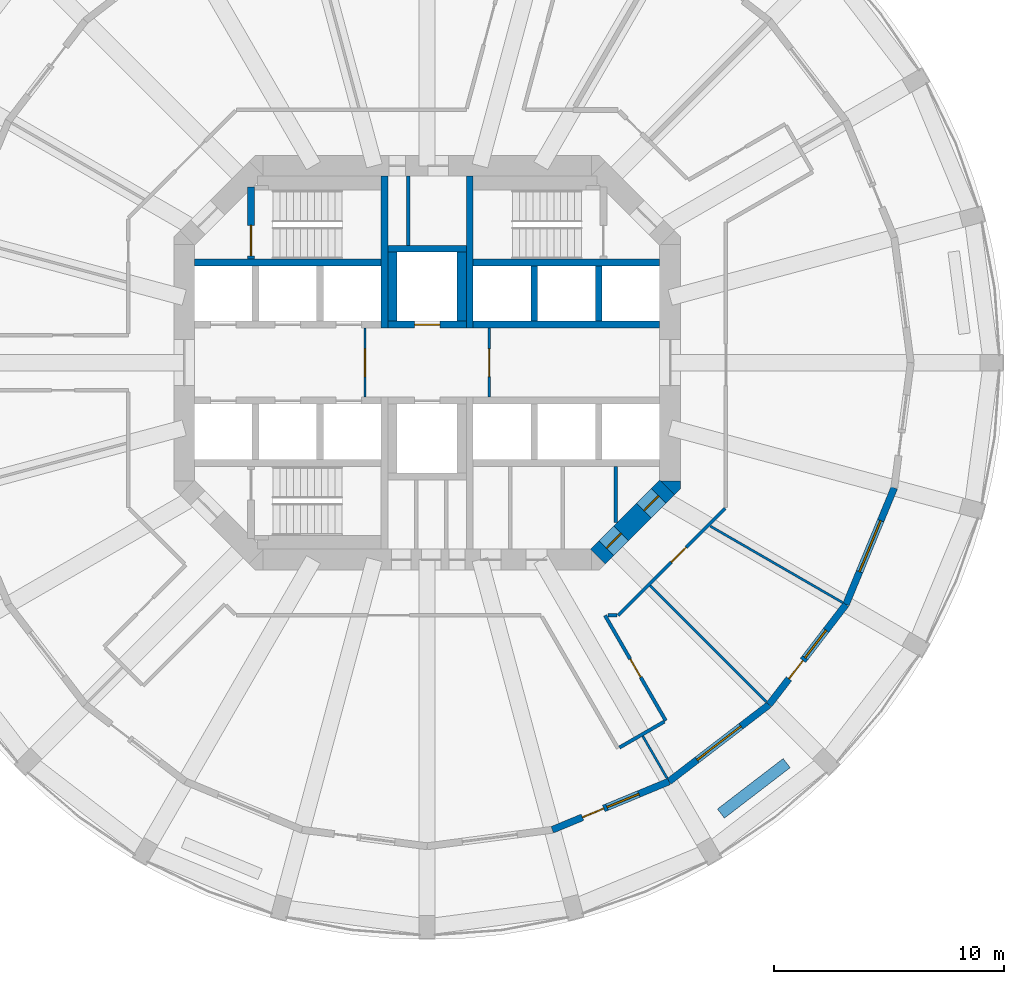
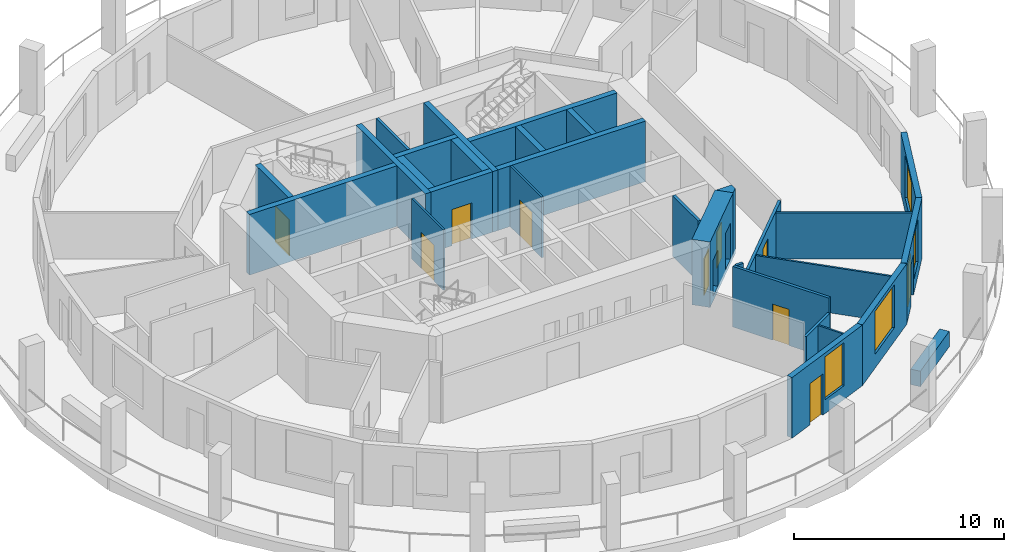
# One storey, part 4 of 8: 30 walls, 10 doors, 4 windows, 14 openings.
"""IFC4 building model written with IfcOpenShell, lengths in metres."""

from ifc_helpers import new_model, si_unit, direction, frame, frame_2d, origin, place, context, subcontext, project, spatial, polyline, rectangle, outline, extrude, material, layer, layer_set, type_object, element, fill, save


model = new_model("IFC4")

# Units and contexts
model_context = context("Model", 3, precision=1e-05, world=origin(), true_north=direction((0.0, 1.0)))
body_context = subcontext(model_context, "Body", "Model", "MODEL_VIEW")
ifc_project = project(units=[si_unit("LENGTHUNIT", "METRE"), si_unit("AREAUNIT", "SQUARE_METRE"), si_unit("VOLUMEUNIT", "CUBIC_METRE"), si_unit("PLANEANGLEUNIT", "RADIAN"), si_unit("MASSUNIT", "GRAM", prefix="KILO")], contexts=[model_context])

# Site, building, storey
site_placement = place(None, origin())
site = spatial("IfcSite", under=ifc_project, at=site_placement, CompositionType="ELEMENT")
building_placement = place(site_placement, origin())
building = spatial("IfcBuilding", under=site, at=building_placement, Name="Torre Triforio", CompositionType="ELEMENT")
storey_placement = place(building_placement, frame((0.0, 0.0, 139.0)))
storey = spatial("IfcBuildingStorey", under=building, at=storey_placement, Name="L31", CompositionType="ELEMENT", Elevation=139.0)

# Walls
ifc_material_1 = material(Name="Concrete C60", Category="concrete")
ifc_layer_1 = layer(ifc_material_1, 0.300048828125)
ifc_layer_set_1 = layer_set([ifc_layer_1], Name="Concrete C60")
wall_type_1 = type_object("IfcWallType", Name="Core wall 300 mm C60 EI 120", PredefinedType="SHEAR", material=ifc_layer_set_1)
for number, where, z_axis, x_axis, name in (
    (1, (-1.85009765625, 1.5, 0.0), (0.0, 0.0, 1.0), (0.0, 1.0, 0.0), "Core wall"),
    (2, (1.85009765625, 1.5, 0.0), (0.0, 0.0, 1.0), (0.0, 1.0, 0.0), "Core wall"),
):
    element("IfcWall", number, at=place(storey_placement, frame(where, z_axis=z_axis, x_axis=x_axis)), inside=storey, type_object=wall_type_1, Name=name, PredefinedType="SHEAR", context=body_context, shape_type="SweptSolid", body=[
        extrude(rectangle(XDim=6.60009765625, YDim=0.300048828125, at=frame_2d((3.300048828125, 0.0))), origin(), (0.0, 0.0, 1.0), 3.52001953125),
    ])

# Wall, openings, doors
ifc_layer_2 = layer(ifc_material_1, 0.89990234375)
ifc_layer_set_2 = layer_set([ifc_layer_2], Name="Concrete C60")
wall_type_2 = type_object("IfcWallType", Name="Core wall 900 mm C60 EI 120", PredefinedType="SHEAR", material=ifc_layer_set_2)
wall_1_placement = place(storey_placement, frame((10.418212890625, -5.418212890625, -0.280029296875), z_axis=(0.0, 0.0, 1.0), x_axis=(-0.707106781187, -0.707106781187, 0.0)))
wall_1 = element("IfcWall", 3, at=wall_1_placement, inside=storey, type_object=wall_type_2, Name="Core wall", PredefinedType="SHEAR", context=body_context, shape_type="SweptSolid", body=[
    extrude(rectangle(XDim=4.24267578125, YDim=0.89990234375, at=frame_2d((2.121337890625, 0.0))), origin(), (0.0, 0.0, 1.0), 3.800048828125),
])
opening_1_placement = place(wall_1_placement, frame((2.82275390625, 0.0, 0.280029296875)))
opening_1 = element("IfcOpeningElement", 4, at=opening_1_placement, cuts=wall_1, Name="Opening SE-03", PredefinedType="OPENING", context=body_context, shape_type="SweptSolid", body=[
    extrude(rectangle(XDim=0.89990234375, YDim=2.10009765625, at=frame_2d((0.449951171875, 1.050048828125))), frame((0.0, 0.4599609375, 0.0), z_axis=(0.0, -1.0, 0.0), x_axis=(1.0, 0.0, 0.0)), (0.0, 0.0, 1.0), 0.919921875),
])
opening_2_placement = place(wall_1_placement, frame((0.52001953125, 0.0, 0.280029296875)))
opening_2 = element("IfcOpeningElement", 5, at=opening_2_placement, cuts=wall_1, Name="Opening SE-04", PredefinedType="OPENING", context=body_context, shape_type="SweptSolid", body=[
    extrude(rectangle(XDim=0.89990234375, YDim=2.10009765625, at=frame_2d((0.449951171875, 1.050048828125))), frame((0.0, 0.4599609375, 0.0), z_axis=(0.0, -1.0, 0.0), x_axis=(1.0, 0.0, 0.0)), (0.0, 0.0, 1.0), 0.919921875),
])
ifc_material_2 = material(Name="Hollow metal fire door leaf")
door_type_1 = type_object("IfcDoorType", Name="Room door 900 x 2100 EI 60", OperationType="NOTDEFINED", PredefinedType="DOOR", material=ifc_material_2)
door_1_placement = place(opening_1_placement, origin())
door_1 = element("IfcDoor", 6, at=door_1_placement, inside=storey, type_object=door_type_1, Name="Core door SE-03", OperationType="SINGLE_SWING_RIGHT", OverallHeight=2.10009765625, OverallWidth=0.89990234375, PredefinedType="DOOR", context=body_context, shape_type="SweptSolid", body=[
    extrude(rectangle(XDim=0.89990234375, YDim=2.10009765625, at=frame_2d((0.449951171875, 1.050048828125))), frame((0.0, 0.02490234375, 0.0), z_axis=(0.0, -1.0, 0.0), x_axis=(1.0, 0.0, 0.0)), (0.0, 0.0, 1.0), 0.050048828125),
])
fill(opening_1, door_1)
door_2_placement = place(opening_2_placement, origin())
door_2 = element("IfcDoor", 7, at=door_2_placement, inside=storey, type_object=door_type_1, Name="Core door SE-04", OperationType="SINGLE_SWING_LEFT", OverallHeight=2.10009765625, OverallWidth=0.89990234375, PredefinedType="DOOR", context=body_context, shape_type="SweptSolid", body=[
    extrude(rectangle(XDim=0.89990234375, YDim=2.10009765625, at=frame_2d((0.449951171875, 1.050048828125))), frame((0.0, 0.02490234375, 0.0), z_axis=(0.0, -1.0, 0.0), x_axis=(1.0, 0.0, 0.0)), (0.0, 0.0, 1.0), 0.050048828125),
])
fill(opening_2, door_2)

# Wall
wall_2_placement = place(storey_placement, frame((0.0, 0.0, -0.280029296875)))
element("IfcWall", 8, at=wall_2_placement, inside=storey, type_object=wall_type_2, Name="Core wall", PredefinedType="SHEAR", context=body_context, shape_type="SweptSolid", body=[
    extrude(outline(polyline([(11.0, -5.472900390625), (10.736328125, -5.736328125), (10.1298828125, -5.1298828125), (11.0, -5.1298828125), (11.0, -5.472900390625)])), origin(), (0.0, 0.0, 1.0), 3.800048828125),
])

# Wall, opening, door
ifc_material_3 = material(Name="Plasterboard on metal studs")
ifc_layer_3 = layer(ifc_material_3, 0.14990234375)
ifc_layer_set_3 = layer_set([ifc_layer_3], Name="Plasterboard on metal studs")
wall_type_3 = type_object("IfcWallType", Name="Corridor and tenancy wall 150 mm EI 60", PredefinedType="PARTITIONING", material=ifc_layer_set_3)
wall_3_placement = place(storey_placement, frame((12.93798828125, -6.327880859375, 0.0), z_axis=(0.0, 0.0, 1.0), x_axis=(-0.707088206597, -0.707125355289, 0.0)))
wall_3 = element("IfcWall", 9, at=wall_3_placement, inside=storey, type_object=wall_type_3, Name="Partition 21", PredefinedType="PARTITIONING", context=body_context, shape_type="SweptSolid", body=[
    extrude(rectangle(XDim=6.572021484375, YDim=0.14990234375, at=frame_2d((3.2861328125, 0.0))), origin(), (0.0, 0.0, 1.0), 2.669921875),
])
opening_3_placement = place(wall_3_placement, frame((2.39794921875, 0.0, 0.0)))
opening_3 = element("IfcOpeningElement", 10, at=opening_3_placement, cuts=wall_3, Name="Opening D3-08", PredefinedType="OPENING", context=body_context, shape_type="SweptSolid", body=[
    extrude(rectangle(XDim=0.89990234375, YDim=2.10009765625, at=frame_2d((0.449951171875, 1.050048828125))), frame((0.0, 0.0849609375, 0.0), z_axis=(0.0, -1.0, 0.0), x_axis=(1.0, 0.0, 0.0)), (0.0, 0.0, 1.0), 0.169921875),
])
ifc_material_4 = material(Name="Timber", Category="wood")
door_type_2 = type_object("IfcDoorType", Name="Door 900 x 2100 single leaf EI 30", OperationType="NOTDEFINED", PredefinedType="DOOR", material=ifc_material_4)
door_3_placement = place(opening_3_placement, origin())
door_3 = element("IfcDoor", 11, at=door_3_placement, inside=storey, type_object=door_type_2, Name="Door D3-08", OperationType="SINGLE_SWING_LEFT", OverallHeight=2.10009765625, OverallWidth=0.89990234375, PredefinedType="DOOR", context=body_context, shape_type="SweptSolid", body=[
    extrude(rectangle(XDim=0.89990234375, YDim=2.10009765625, at=frame_2d((0.449951171875, 1.050048828125))), frame((0.0, 0.02490234375, 0.0), z_axis=(0.0, -1.0, 0.0), x_axis=(1.0, 0.0, 0.0)), (0.0, 0.0, 1.0), 0.050048828125),
])
fill(opening_3, door_3)

# Wall
wall_4_placement = place(storey_placement, frame((8.23828125, -10.97509765625, 0.0), z_axis=(0.0, 0.0, 1.0), x_axis=(-1.0, 0.0, 0.0)))
element("IfcWall", 12, at=wall_4_placement, inside=storey, type_object=wall_type_3, Name="Partition 22", PredefinedType="PARTITIONING", context=body_context, shape_type="SweptSolid", body=[
    extrude(rectangle(XDim=0.38623046875, YDim=0.14990234375, at=frame_2d((0.193115234375, 0.0))), origin(), (0.0, 0.0, 1.0), 3.52001953125),
])

# Wall, opening, door
wall_5_placement = place(storey_placement, frame((7.72216796875, -10.97509765625, 0.0), z_axis=(0.0, 0.0, 1.0), x_axis=(0.499981143329, -0.866036290415, 0.0)))
wall_5 = element("IfcWall", 13, at=wall_5_placement, inside=storey, type_object=wall_type_3, Name="Partition 23", PredefinedType="PARTITIONING", context=body_context, shape_type="SweptSolid", body=[
    extrude(rectangle(XDim=5.282958984375, YDim=0.14990234375, at=frame_2d((2.6416015625, 0.0))), origin(), (0.0, 0.0, 1.0), 3.52001953125),
])
opening_4_placement = place(wall_5_placement, frame((2.19140625, 0.0, 0.0)))
opening_4 = element("IfcOpeningElement", 14, at=opening_4_placement, cuts=wall_5, Name="Opening D3-07", PredefinedType="OPENING", context=body_context, shape_type="SweptSolid", body=[
    extrude(rectangle(XDim=0.89990234375, YDim=2.10009765625, at=frame_2d((0.449951171875, 1.050048828125))), frame((0.0, 0.0849609375, 0.0), z_axis=(0.0, -1.0, 0.0), x_axis=(1.0, 0.0, 0.0)), (0.0, 0.0, 1.0), 0.169921875),
])
door_4_placement = place(opening_4_placement, origin())
door_4 = element("IfcDoor", 15, at=door_4_placement, inside=storey, type_object=door_type_2, Name="Door D3-07", OperationType="SINGLE_SWING_LEFT", OverallHeight=2.10009765625, OverallWidth=0.89990234375, PredefinedType="DOOR", context=body_context, shape_type="SweptSolid", body=[
    extrude(rectangle(XDim=0.89990234375, YDim=2.10009765625, at=frame_2d((0.449951171875, 1.050048828125))), frame((0.0, 0.02490234375, 0.0), z_axis=(0.0, -1.0, 0.0), x_axis=(1.0, 0.0, 0.0)), (0.0, 0.0, 1.0), 0.050048828125),
])
fill(opening_4, door_4)

# Wall
wall_6_placement = place(storey_placement, frame((10.298583984375, -15.587890625, 0.0), z_axis=(0.0, 0.0, 1.0), x_axis=(-0.866017533419, -0.500013631625, 0.0)))
element("IfcWall", 16, at=wall_6_placement, inside=storey, type_object=wall_type_3, Name="Partition 24", PredefinedType="PARTITIONING", context=body_context, shape_type="SweptSolid", body=[
    extrude(rectangle(XDim=2.25, YDim=0.14990234375, at=frame_2d((1.125, 0.0))), origin(), (0.0, 0.0, 1.0), 2.669921875),
])

# Wall, opening, door
ifc_material_5 = material(Name="Block and board partition")
ifc_layer_4 = layer(ifc_material_5, 0.10009765625)
ifc_layer_set_4 = layer_set([ifc_layer_4], Name="Block and board partition")
wall_type_4 = type_object("IfcWallType", Name="Partition 100 mm EI 120", PredefinedType="PARTITIONING", material=ifc_layer_set_4)
wall_7_placement = place(storey_placement, frame((-2.699951171875, -1.5, 0.0), z_axis=(0.0, 0.0, 1.0), x_axis=(0.0, 1.0, 0.0)))
wall_7 = element("IfcWall", 17, at=wall_7_placement, inside=storey, type_object=wall_type_4, Name="Partition", PredefinedType="PARTITIONING", context=body_context, shape_type="SweptSolid", body=[
    extrude(rectangle(XDim=3.0, YDim=0.10009765625, at=frame_2d((1.5, 0.0))), origin(), (0.0, 0.0, 1.0), 3.52001953125),
])
opening_5_placement = place(wall_7_placement, frame((0.89990234375, 0.0, 0.0)))
opening_5 = element("IfcOpeningElement", 18, at=opening_5_placement, cuts=wall_7, Name="Opening FF-W", PredefinedType="OPENING", context=body_context, shape_type="SweptSolid", body=[
    extrude(rectangle(XDim=1.199951171875, YDim=2.10009765625, at=frame_2d((0.60009765625, 1.050048828125))), frame((0.0, 0.06005859375, 0.0), z_axis=(0.0, -1.0, 0.0), x_axis=(1.0, 0.0, 0.0)), (0.0, 0.0, 1.0), 0.1201171875),
])
door_type_3 = type_object("IfcDoorType", Name="Fire-fighting lobby door 1200 x 2100 EI 60", OperationType="NOTDEFINED", PredefinedType="DOOR", material=ifc_material_2)
door_5_placement = place(opening_5_placement, origin())
door_5 = element("IfcDoor", 19, at=door_5_placement, inside=storey, type_object=door_type_3, Name="Core door FF-W", OperationType="SINGLE_SWING_RIGHT", OverallHeight=2.10009765625, OverallWidth=1.199951171875, PredefinedType="DOOR", context=body_context, shape_type="SweptSolid", body=[
    extrude(rectangle(XDim=1.199951171875, YDim=2.10009765625, at=frame_2d((0.60009765625, 1.050048828125))), frame((0.0, 0.02490234375, 0.0), z_axis=(0.0, -1.0, 0.0), x_axis=(1.0, 0.0, 0.0)), (0.0, 0.0, 1.0), 0.050048828125),
])
fill(opening_5, door_5)

wall_8_placement = place(storey_placement, frame((2.699951171875, -1.5, 0.0), z_axis=(0.0, 0.0, 1.0), x_axis=(0.0, 1.0, 0.0)))
wall_8 = element("IfcWall", 20, at=wall_8_placement, inside=storey, type_object=wall_type_4, Name="Partition", PredefinedType="PARTITIONING", context=body_context, shape_type="SweptSolid", body=[
    extrude(rectangle(XDim=3.0, YDim=0.10009765625, at=frame_2d((1.5, 0.0))), origin(), (0.0, 0.0, 1.0), 3.52001953125),
])
opening_6_placement = place(wall_8_placement, frame((0.89990234375, 0.0, 0.0)))
opening_6 = element("IfcOpeningElement", 21, at=opening_6_placement, cuts=wall_8, Name="Opening FF-E", PredefinedType="OPENING", context=body_context, shape_type="SweptSolid", body=[
    extrude(rectangle(XDim=1.199951171875, YDim=2.10009765625, at=frame_2d((0.60009765625, 1.050048828125))), frame((0.0, 0.06005859375, 0.0), z_axis=(0.0, -1.0, 0.0), x_axis=(1.0, 0.0, 0.0)), (0.0, 0.0, 1.0), 0.1201171875),
])
door_6_placement = place(opening_6_placement, origin())
door_6 = element("IfcDoor", 22, at=door_6_placement, inside=storey, type_object=door_type_3, Name="Core door FF-E", OperationType="SINGLE_SWING_RIGHT", OverallHeight=2.10009765625, OverallWidth=1.199951171875, PredefinedType="DOOR", context=body_context, shape_type="SweptSolid", body=[
    extrude(rectangle(XDim=1.199951171875, YDim=2.10009765625, at=frame_2d((0.60009765625, 1.050048828125))), frame((0.0, 0.02490234375, 0.0), z_axis=(0.0, -1.0, 0.0), x_axis=(1.0, 0.0, 0.0)), (0.0, 0.0, 1.0), 0.050048828125),
])
fill(opening_6, door_6)

# Walls
ifc_layer_5 = layer(ifc_material_3, 0.10009765625)
ifc_layer_set_5 = layer_set([ifc_layer_5], Name="Plasterboard on metal studs")
wall_type_5 = type_object("IfcWallType", Name="Partition 100 mm board on metal studs", PredefinedType="PARTITIONING", material=ifc_layer_set_5)
wall_9_placement = place(storey_placement, frame((9.36181640625, -16.215087890625, 0.0), z_axis=(0.0, 0.0, 1.0), x_axis=(0.500015802937, -0.866016279763, 0.0)))
element("IfcWall", 23, at=wall_9_placement, inside=storey, type_object=wall_type_5, Name="Partition 40", PredefinedType="PARTITIONING", context=body_context, shape_type="SweptSolid", body=[
    extrude(rectangle(XDim=2.11328125, YDim=0.10009765625, at=frame_2d((1.056640625, 0.0))), origin(), (0.0, 0.0, 1.0), 2.669921875),
])
wall_10_placement = place(storey_placement, frame((9.68603515625, -9.68603515625, 0.0), z_axis=(0.0, 0.0, 1.0), x_axis=(0.707106781187, -0.707106781187, 0.0)))
element("IfcWall", 24, at=wall_10_placement, inside=storey, type_object=wall_type_5, Name="Partition 41", PredefinedType="PARTITIONING", context=body_context, shape_type="SweptSolid", body=[
    extrude(rectangle(XDim=7.138671875, YDim=0.10009765625, at=frame_2d((3.5693359375, 0.0))), origin(), (0.0, 0.0, 1.0), 2.669921875),
])
wall_11_placement = place(storey_placement, frame((12.294189453125, -7.097900390625, 0.0), z_axis=(0.0, 0.0, 1.0), x_axis=(0.866010486135, -0.500025837236, 0.0)))
element("IfcWall", 25, at=wall_11_placement, inside=storey, type_object=wall_type_5, Name="Partition 42", PredefinedType="PARTITIONING", context=body_context, shape_type="SweptSolid", body=[
    extrude(rectangle(XDim=6.640869140625, YDim=0.10009765625, at=frame_2d((3.3203125, 0.0))), origin(), (0.0, 0.0, 1.0), 2.669921875),
])
ifc_layer_6 = layer(ifc_material_5, 0.14990234375)
ifc_layer_set_6 = layer_set([ifc_layer_6], Name="Block and board partition")
wall_type_6 = type_object("IfcWallType", Name="Partition 150 mm", PredefinedType="PARTITIONING", material=ifc_layer_set_6)
wall_12_placement = place(storey_placement, frame((8.18896484375, -6.93603515625, 0.0), z_axis=(0.0, 0.0, 1.0), x_axis=(0.0, 1.0, 0.0)))
element("IfcWall", 26, at=wall_12_placement, inside=storey, type_object=wall_type_6, Name="Partition", PredefinedType="PARTITIONING", context=body_context, shape_type="SweptSolid", body=[
    extrude(rectangle(XDim=2.43603515625, YDim=0.14990234375, at=frame_2d((1.218017578125, 0.0))), origin(), (0.0, 0.0, 1.0), 3.52001953125),
])
ifc_layer_7 = layer(ifc_material_5, 0.14990234375)
ifc_layer_set_7 = layer_set([ifc_layer_7], Name="Block and board partition")
wall_type_7 = type_object("IfcWallType", Name="Partition 150 mm EI 120", PredefinedType="PARTITIONING", material=ifc_layer_set_7)
wall_13_placement = place(storey_placement, frame((-0.824951171875, 5.10009765625, 0.0), z_axis=(0.0, 0.0, 1.0), x_axis=(0.0, 1.0, 0.0)))
element("IfcWall", 27, at=wall_13_placement, inside=storey, type_object=wall_type_7, Name="Partition", PredefinedType="PARTITIONING", context=body_context, shape_type="SweptSolid", body=[
    extrude(rectangle(XDim=3.0, YDim=0.14990234375, at=frame_2d((1.5, 0.0))), origin(), (0.0, 0.0, 1.0), 3.52001953125),
])
ifc_material_6 = material(Name="Limestone cladding", Category="masonry")
ifc_layer_8 = layer(ifc_material_6, 0.10009765625)
ifc_material_7 = material(Name="Concrete C40", Category="concrete")
ifc_layer_9 = layer(ifc_material_7, 0.39990234375)
ifc_layer_set_8 = layer_set([ifc_layer_8, ifc_layer_9], Name="Limestone cladding / Concrete C40")
wall_type_8 = type_object("IfcWallType", Name="Planter wall 500", PredefinedType="PARAPET", material=ifc_layer_set_8)
wall_14_placement = place(storey_placement, frame((12.756103515625, -19.580810546875, 0.0), z_axis=(0.0, 0.0, 1.0), x_axis=(0.793384730612, 0.608720518162, 0.0)))
element("IfcWall", 28, at=wall_14_placement, inside=storey, type_object=wall_type_8, Name="Planter L31 bay 21", PredefinedType="PARAPET", context=body_context, shape_type="SweptSolid", body=[
    extrude(rectangle(XDim=3.60009765625, YDim=0.5, at=frame_2d((1.800048828125, 0.0))), origin(), (0.0, 0.0, 1.0), 0.89990234375),
])
ifc_layer_10 = layer(ifc_material_1, 0.300048828125)
ifc_layer_set_9 = layer_set([ifc_layer_10], Name="Concrete C60")
wall_type_9 = type_object("IfcWallType", Name="Shaft wall 300 mm C60 EI 120", PredefinedType="SOLIDWALL", material=ifc_layer_set_9)
for number, where, z_axis, x_axis, name in (
    (29, (-10.10009765625, 4.35009765625, 0.0), (0.0, 0.0, 1.0), (1.0, 0.0, 0.0), "Shaft wall"),
    (30, (2.0, 4.35009765625, 0.0), (0.0, 0.0, 1.0), (1.0, 0.0, 0.0), "Shaft wall"),
    (31, (2.0, 1.64990234375, 0.0), (0.0, 0.0, 1.0), (1.0, 0.0, 0.0), "Shaft wall"),
):
    element("IfcWall", number, at=place(storey_placement, frame(where, z_axis=z_axis, x_axis=x_axis)), inside=storey, type_object=wall_type_9, Name=name, PredefinedType="SOLIDWALL", context=body_context, shape_type="SweptSolid", body=[
        extrude(rectangle(XDim=8.10009765625, YDim=0.300048828125, at=frame_2d((4.050048828125, 0.0))), origin(), (0.0, 0.0, 1.0), 3.52001953125),
    ])
for number, where, z_axis, x_axis, name in (
    (32, (4.64990234375, 1.800048828125, 0.0), (0.0, 0.0, 1.0), (0.0, 1.0, 0.0), "Shaft wall"),
    (33, (7.449951171875, 1.800048828125, 0.0), (0.0, 0.0, 1.0), (0.0, 1.0, 0.0), "Shaft wall"),
):
    element("IfcWall", number, at=place(storey_placement, frame(where, z_axis=z_axis, x_axis=x_axis)), inside=storey, type_object=wall_type_9, Name=name, PredefinedType="SOLIDWALL", context=body_context, shape_type="SweptSolid", body=[
        extrude(rectangle(XDim=2.39990234375, YDim=0.300048828125, at=frame_2d((1.199951171875, 0.0))), origin(), (0.0, 0.0, 1.0), 3.52001953125),
    ])

# Wall, opening, door
wall_15_placement = place(storey_placement, frame((-1.699951171875, 1.64990234375, 0.0), z_axis=(0.0, 0.0, 1.0), x_axis=(1.0, 0.0, 0.0)))
wall_15 = element("IfcWall", 34, at=wall_15_placement, inside=storey, type_object=wall_type_9, Name="Shaft wall", PredefinedType="SOLIDWALL", context=body_context, shape_type="SweptSolid", body=[
    extrude(rectangle(XDim=3.39990234375, YDim=0.300048828125, at=frame_2d((1.699951171875, 0.0))), origin(), (0.0, 0.0, 1.0), 3.52001953125),
])
opening_7_placement = place(wall_15_placement, frame((1.14990234375, 0.0, 0.0)))
opening_7 = element("IfcOpeningElement", 35, at=opening_7_placement, cuts=wall_15, Name="Opening LD", PredefinedType="OPENING", context=body_context, shape_type="SweptSolid", body=[
    extrude(rectangle(XDim=1.10009765625, YDim=2.10009765625, at=frame_2d((0.550048828125, 1.050048828125))), frame((0.0, 0.159912109375, 0.0), z_axis=(0.0, -1.0, 0.0), x_axis=(1.0, 0.0, 0.0)), (0.0, 0.0, 1.0), 0.320068359375),
])
door_type_4 = type_object("IfcDoorType", Name="Landing door 1100 x 2100 EI 60", OperationType="DOUBLE_DOOR_SLIDING", PredefinedType="DOOR", material=ifc_material_2)
door_7_placement = place(opening_7_placement, origin())
door_7 = element("IfcDoor", 36, at=door_7_placement, inside=storey, type_object=door_type_4, Name="Landing door FFL1", OperationType="DOUBLE_DOOR_SLIDING", OverallHeight=2.10009765625, OverallWidth=1.10009765625, PredefinedType="DOOR", context=body_context, shape_type="SweptSolid", body=[
    extrude(rectangle(XDim=1.10009765625, YDim=2.10009765625, at=frame_2d((0.550048828125, 1.050048828125))), frame((0.0, 0.02490234375, 0.0), z_axis=(0.0, -1.0, 0.0), x_axis=(1.0, 0.0, 0.0)), (0.0, 0.0, 1.0), 0.050048828125),
])
fill(opening_7, door_7)

# Walls
wall_16_placement = place(storey_placement, frame((-1.699951171875, 4.949951171875, 0.0), z_axis=(0.0, 0.0, 1.0), x_axis=(1.0, 0.0, 0.0)))
element("IfcWall", 37, at=wall_16_placement, inside=storey, type_object=wall_type_9, Name="Shaft wall", PredefinedType="SOLIDWALL", context=body_context, shape_type="SweptSolid", body=[
    extrude(rectangle(XDim=3.39990234375, YDim=0.300048828125, at=frame_2d((1.699951171875, 0.0))), origin(), (0.0, 0.0, 1.0), 3.52001953125),
])
ifc_layer_11 = layer(ifc_material_1, 0.39990234375)
ifc_layer_set_10 = layer_set([ifc_layer_11], Name="Concrete C60")
wall_type_10 = type_object("IfcWallType", Name="Shaft wall 400 mm C60 EI 120", PredefinedType="SOLIDWALL", material=ifc_layer_set_10)
for number, where, z_axis, x_axis, name in (
    (38, (-1.5, 1.800048828125, 0.0), (0.0, 0.0, 1.0), (0.0, 1.0, 0.0), "Shaft wall"),
    (39, (1.5, 1.800048828125, 0.0), (0.0, 0.0, 1.0), (0.0, 1.0, 0.0), "Shaft wall"),
):
    element("IfcWall", number, at=place(storey_placement, frame(where, z_axis=z_axis, x_axis=x_axis)), inside=storey, type_object=wall_type_10, Name=name, PredefinedType="SOLIDWALL", context=body_context, shape_type="SweptSolid", body=[
        extrude(rectangle(XDim=3.0, YDim=0.39990234375, at=frame_2d((1.5, 0.0))), origin(), (0.0, 0.0, 1.0), 3.52001953125),
    ])

# Wall, opening, door
ifc_layer_12 = layer(ifc_material_1, 0.300048828125)
ifc_layer_set_11 = layer_set([ifc_layer_12], Name="Concrete C60")
wall_type_11 = type_object("IfcWallType", Name="Stair wall 300 mm C60 EI 120", PredefinedType="SHEAR", material=ifc_layer_set_11)
wall_17_placement = place(storey_placement, frame((-7.64990234375, 4.5, 0.0), z_axis=(0.0, 0.0, 1.0), x_axis=(0.0, 1.0, 0.0)))
wall_17 = element("IfcWall", 40, at=wall_17_placement, inside=storey, type_object=wall_type_11, Name="Stair wall", PredefinedType="SHEAR", context=body_context, shape_type="SweptSolid", body=[
    extrude(rectangle(XDim=3.139892578125, YDim=0.300048828125, at=frame_2d((1.56982421875, 0.0))), origin(), (0.0, 0.0, 1.0), 3.52001953125),
])
opening_8_placement = place(wall_17_placement, frame((0.139892578125, 0.0, 0.0)))
opening_8 = element("IfcOpeningElement", 41, at=opening_8_placement, cuts=wall_17, Name="Opening ST1-STA", PredefinedType="OPENING", context=body_context, shape_type="SweptSolid", body=[
    extrude(rectangle(XDim=1.320068359375, YDim=2.10009765625, at=frame_2d((0.66015625, 1.050048828125))), frame((0.0, 0.159912109375, 0.0), z_axis=(0.0, -1.0, 0.0), x_axis=(1.0, 0.0, 0.0)), (0.0, 0.0, 1.0), 0.320068359375),
])
door_type_5 = type_object("IfcDoorType", Name="Stair door 1320 x 2100 EI 90", OperationType="DOUBLE_DOOR_SINGLE_SWING", PredefinedType="DOOR", material=ifc_material_2)
door_8_placement = place(opening_8_placement, origin())
door_8 = element("IfcDoor", 42, at=door_8_placement, inside=storey, type_object=door_type_5, Name="Core door ST1-ST", OperationType="DOUBLE_DOOR_SINGLE_SWING", OverallHeight=2.10009765625, OverallWidth=1.320068359375, PredefinedType="DOOR", context=body_context, shape_type="SweptSolid", body=[
    extrude(rectangle(XDim=1.320068359375, YDim=2.10009765625, at=frame_2d((0.66015625, 1.050048828125))), frame((0.0, 0.02490234375, 0.0), z_axis=(0.0, -1.0, 0.0), x_axis=(1.0, 0.0, 0.0)), (0.0, 0.0, 1.0), 0.050048828125),
])
fill(opening_8, door_8)

# Wall, openings, door, window
ifc_layer_13 = layer(ifc_material_6, 0.10009765625)
ifc_layer_14 = layer(ifc_material_7, 0.199951171875)
ifc_layer_set_12 = layer_set([ifc_layer_13, ifc_layer_14], Name="Limestone cladding / Concrete C40")
wall_type_12 = type_object("IfcWallType", Name="Stone-faced composite wall 300", PredefinedType="STANDARD", material=ifc_layer_set_12)
wall_18_placement = place(storey_placement, frame((5.435302734375, -20.284423828125, 0.0), z_axis=(0.0, 0.0, 1.0), x_axis=(0.923877333662, 0.382688740813, 0.0)))
wall_18 = element("IfcWall", 43, at=wall_18_placement, inside=storey, type_object=wall_type_12, Name="External wall L31 bay 20", PredefinedType="STANDARD", context=body_context, shape_type="SweptSolid", body=[
    extrude(rectangle(XDim=5.48193359375, YDim=0.300048828125, at=frame_2d((2.740966796875, 0.0))), origin(), (0.0, 0.0, 1.0), 3.52001953125),
])
opening_9_placement = place(wall_18_placement, frame((1.416015625, 0.0, 0.0)))
opening_9 = element("IfcOpeningElement", 44, at=opening_9_placement, cuts=wall_18, Name="Opening D3-D20", PredefinedType="OPENING", context=body_context, shape_type="SweptSolid", body=[
    extrude(rectangle(XDim=1.0, YDim=2.39990234375, at=frame_2d((0.5, 1.199951171875))), frame((0.0, 0.159912109375, 0.0), z_axis=(0.0, -1.0, 0.0), x_axis=(1.0, 0.0, 0.0)), (0.0, 0.0, 1.0), 0.320068359375),
])
opening_10_placement = place(wall_18_placement, frame((2.566162109375, 0.0, 0.800048828125)))
opening_10 = element("IfcOpeningElement", 45, at=opening_10_placement, cuts=wall_18, Name="Opening D3-W20A", PredefinedType="OPENING", context=body_context, shape_type="SweptSolid", body=[
    extrude(rectangle(XDim=1.5, YDim=2.5, at=frame_2d((0.75, 1.25))), frame((0.0, 0.159912109375, 0.0), z_axis=(0.0, -1.0, 0.0), x_axis=(1.0, 0.0, 0.0)), (0.0, 0.0, 1.0), 0.320068359375),
])
ifc_material_8 = material(Name="Aluminium frame with clear double glazing", Category="aluminium")
door_type_6 = type_object("IfcDoorType", Name="Loggia door 1000 x 2400", OperationType="NOTDEFINED", PredefinedType="DOOR", material=ifc_material_8)
door_9_placement = place(opening_9_placement, origin())
door_9 = element("IfcDoor", 46, at=door_9_placement, inside=storey, type_object=door_type_6, Name="Loggia door L31 bay 20", OperationType="SINGLE_SWING_LEFT", OverallHeight=2.39990234375, OverallWidth=1.0, PredefinedType="DOOR", context=body_context, shape_type="SweptSolid", body=[
    extrude(rectangle(XDim=1.0, YDim=2.39990234375, at=frame_2d((0.5, 1.199951171875))), frame((0.0, 0.02490234375, 0.0), z_axis=(0.0, -1.0, 0.0), x_axis=(1.0, 0.0, 0.0)), (0.0, 0.0, 1.0), 0.050048828125),
])
fill(opening_9, door_9)
window_type_1 = type_object("IfcWindowType", Name="Side window 1500 x 2500", PartitioningType="SINGLE_PANEL", PredefinedType="WINDOW", material=ifc_material_8)
window_1_placement = place(opening_10_placement, origin())
window_1 = element("IfcWindow", 47, at=window_1_placement, inside=storey, type_object=window_type_1, Name="Side window EWN13 L31 bay 20", OverallHeight=2.5, OverallWidth=1.5, PartitioningType="SINGLE_PANEL", PredefinedType="WINDOW", context=body_context, shape_type="SweptSolid", body=[
    extrude(rectangle(XDim=1.5, YDim=2.5, at=frame_2d((0.75, 1.25))), frame((0.0, 0.030029296875, 0.0), z_axis=(0.0, -1.0, 0.0), x_axis=(1.0, 0.0, 0.0)), (0.0, 0.0, 1.0), 0.06005859375),
])
fill(opening_10, window_1)

# Wall, opening, window
wall_19_placement = place(storey_placement, frame((10.5, -18.1865234375, 0.0), z_axis=(0.0, 0.0, 1.0), x_axis=(0.793335336593, 0.608784891166, 0.0)))
wall_19 = element("IfcWall", 48, at=wall_19_placement, inside=storey, type_object=wall_type_12, Name="External wall L31 bay 21", PredefinedType="STANDARD", context=body_context, shape_type="SweptSolid", body=[
    extrude(rectangle(XDim=5.482177734375, YDim=0.300048828125, at=frame_2d((2.7412109375, 0.0))), origin(), (0.0, 0.0, 1.0), 3.52001953125),
])
opening_11_placement = place(wall_19_placement, frame((1.541015625, 0.0, 0.800048828125)))
opening_11 = element("IfcOpeningElement", 49, at=opening_11_placement, cuts=wall_19, Name="Opening D3-W21", PredefinedType="OPENING", context=body_context, shape_type="SweptSolid", body=[
    extrude(rectangle(XDim=2.39990234375, YDim=2.5, at=frame_2d((1.199951171875, 1.25))), frame((0.0, 0.159912109375, 0.0), z_axis=(0.0, -1.0, 0.0), x_axis=(1.0, 0.0, 0.0)), (0.0, 0.0, 1.0), 0.320068359375),
])
window_type_2 = type_object("IfcWindowType", Name="Punched window 2400 x 2500", PartitioningType="DOUBLE_PANEL_VERTICAL", PredefinedType="WINDOW", material=ifc_material_8)
window_2_placement = place(opening_11_placement, origin())
window_2 = element("IfcWindow", 50, at=window_2_placement, inside=storey, type_object=window_type_2, Name="Window EWN3 L31 bay 21", OverallHeight=2.5, OverallWidth=2.39990234375, PartitioningType="SINGLE_PANEL", PredefinedType="WINDOW", context=body_context, shape_type="SweptSolid", body=[
    extrude(rectangle(XDim=2.39990234375, YDim=2.5, at=frame_2d((1.199951171875, 1.25))), frame((0.0, 0.030029296875, 0.0), z_axis=(0.0, -1.0, 0.0), x_axis=(1.0, 0.0, 0.0)), (0.0, 0.0, 1.0), 0.06005859375),
])
fill(opening_11, window_2)

# Wall, openings, door, window
wall_20_placement = place(storey_placement, frame((14.84912109375, -14.84912109375, 0.0), z_axis=(0.0, 0.0, 1.0), x_axis=(0.608784891166, 0.793335336593, 0.0)))
wall_20 = element("IfcWall", 51, at=wall_20_placement, inside=storey, type_object=wall_type_12, Name="External wall L31 bay 22", PredefinedType="STANDARD", context=body_context, shape_type="SweptSolid", body=[
    extrude(rectangle(XDim=5.482177734375, YDim=0.300048828125, at=frame_2d((2.7412109375, 0.0))), origin(), (0.0, 0.0, 1.0), 3.52001953125),
])
opening_12_placement = place(wall_20_placement, frame((1.416015625, 0.0, 0.0)))
opening_12 = element("IfcOpeningElement", 52, at=opening_12_placement, cuts=wall_20, Name="Opening D3-D22", PredefinedType="OPENING", context=body_context, shape_type="SweptSolid", body=[
    extrude(rectangle(XDim=1.0, YDim=2.39990234375, at=frame_2d((0.5, 1.199951171875))), frame((0.0, 0.159912109375, 0.0), z_axis=(0.0, -1.0, 0.0), x_axis=(1.0, 0.0, 0.0)), (0.0, 0.0, 1.0), 0.320068359375),
])
opening_13_placement = place(wall_20_placement, frame((2.56591796875, 0.0, 0.800048828125)))
opening_13 = element("IfcOpeningElement", 53, at=opening_13_placement, cuts=wall_20, Name="Opening D3-W22A", PredefinedType="OPENING", context=body_context, shape_type="SweptSolid", body=[
    extrude(rectangle(XDim=1.5, YDim=2.5, at=frame_2d((0.75, 1.25))), frame((0.0, 0.159912109375, 0.0), z_axis=(0.0, -1.0, 0.0), x_axis=(1.0, 0.0, 0.0)), (0.0, 0.0, 1.0), 0.320068359375),
])
door_10_placement = place(opening_12_placement, origin())
door_10 = element("IfcDoor", 54, at=door_10_placement, inside=storey, type_object=door_type_6, Name="Loggia door L31 bay 22", OperationType="SINGLE_SWING_LEFT", OverallHeight=2.39990234375, OverallWidth=1.0, PredefinedType="DOOR", context=body_context, shape_type="SweptSolid", body=[
    extrude(rectangle(XDim=1.0, YDim=2.39990234375, at=frame_2d((0.5, 1.199951171875))), frame((0.0, 0.02490234375, 0.0), z_axis=(0.0, -1.0, 0.0), x_axis=(1.0, 0.0, 0.0)), (0.0, 0.0, 1.0), 0.050048828125),
])
fill(opening_12, door_10)
window_3_placement = place(opening_13_placement, origin())
window_3 = element("IfcWindow", 55, at=window_3_placement, inside=storey, type_object=window_type_1, Name="Side window EWN13 L31 bay 22", OverallHeight=2.5, OverallWidth=1.5, PartitioningType="SINGLE_PANEL", PredefinedType="WINDOW", context=body_context, shape_type="SweptSolid", body=[
    extrude(rectangle(XDim=1.5, YDim=2.5, at=frame_2d((0.75, 1.25))), frame((0.0, 0.030029296875, 0.0), z_axis=(0.0, -1.0, 0.0), x_axis=(1.0, 0.0, 0.0)), (0.0, 0.0, 1.0), 0.06005859375),
])
fill(opening_13, window_3)

# Wall, opening, window
wall_21_placement = place(storey_placement, frame((18.1865234375, -10.5, 0.0), z_axis=(0.0, 0.0, 1.0), x_axis=(0.382688740813, 0.923877333662, 0.0)))
wall_21 = element("IfcWall", 56, at=wall_21_placement, inside=storey, type_object=wall_type_12, Name="External wall L31 bay 23", PredefinedType="STANDARD", context=body_context, shape_type="SweptSolid", body=[
    extrude(rectangle(XDim=5.48193359375, YDim=0.300048828125, at=frame_2d((2.740966796875, 0.0))), origin(), (0.0, 0.0, 1.0), 3.52001953125),
])
opening_14_placement = place(wall_21_placement, frame((1.541015625, 0.0, 0.800048828125)))
opening_14 = element("IfcOpeningElement", 57, at=opening_14_placement, cuts=wall_21, Name="Opening D3-W23", PredefinedType="OPENING", context=body_context, shape_type="SweptSolid", body=[
    extrude(rectangle(XDim=2.39990234375, YDim=2.5, at=frame_2d((1.199951171875, 1.25))), frame((0.0, 0.159912109375, 0.0), z_axis=(0.0, -1.0, 0.0), x_axis=(1.0, 0.0, 0.0)), (0.0, 0.0, 1.0), 0.320068359375),
])
window_4_placement = place(opening_14_placement, origin())
window_4 = element("IfcWindow", 58, at=window_4_placement, inside=storey, type_object=window_type_2, Name="Window EWN3 L31 bay 23", OverallHeight=2.5, OverallWidth=2.39990234375, PartitioningType="SINGLE_PANEL", PredefinedType="WINDOW", context=body_context, shape_type="SweptSolid", body=[
    extrude(rectangle(XDim=2.39990234375, YDim=2.5, at=frame_2d((1.199951171875, 1.25))), frame((0.0, 0.030029296875, 0.0), z_axis=(0.0, -1.0, 0.0), x_axis=(1.0, 0.0, 0.0)), (0.0, 0.0, 1.0), 0.06005859375),
])
fill(opening_14, window_4)

save(model, "model.ifc")
